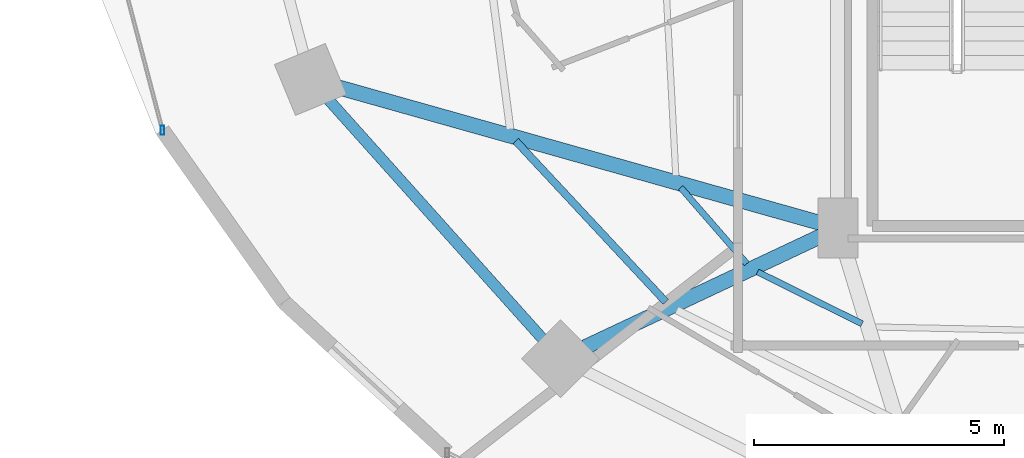
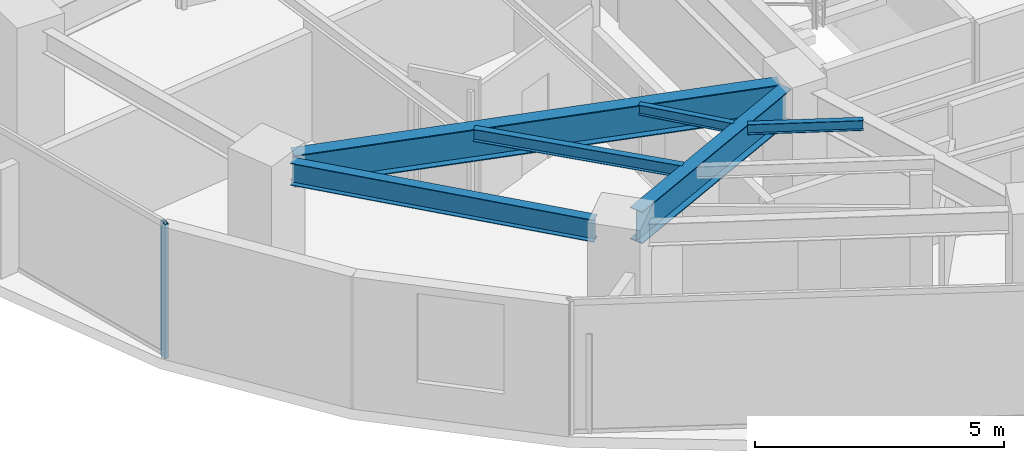
# One storey, part 3 of 30: 6 beams, 1 member, 1 element without a shape of its own.
"""IFC4 building model written with IfcOpenShell, lengths in metres."""

from ifc_helpers import new_model, si_unit, direction, frame, origin, origin_2d, place, context, subcontext, project, spatial, hollow_rectangle, i_section, extrude, material, material_profile, profile_set, type_object, element, aggregate, save


model = new_model("IFC4")

# Units and contexts
model_context = context("Model", 3, precision=1e-05, world=origin(), true_north=direction((0.0, 1.0)))
body_context = subcontext(model_context, "Body", "Model", "MODEL_VIEW")
ifc_project = project(units=[si_unit("LENGTHUNIT", "METRE"), si_unit("AREAUNIT", "SQUARE_METRE"), si_unit("VOLUMEUNIT", "CUBIC_METRE"), si_unit("PLANEANGLEUNIT", "RADIAN"), si_unit("MASSUNIT", "GRAM", prefix="KILO")], contexts=[model_context])

# Site, building, storey
site_placement = place(None, origin())
site = spatial("IfcSite", under=ifc_project, at=site_placement, CompositionType="ELEMENT")
building_placement = place(site_placement, origin())
building = spatial("IfcBuilding", under=site, at=building_placement, Name="Vorneva Point Tower", CompositionType="ELEMENT")
storey_placement = place(building_placement, frame((0.0, 0.0, 92.800048828125)))
storey = spatial("IfcBuildingStorey", under=building, at=storey_placement, Name="L24", CompositionType="ELEMENT", Elevation=92.800048828125)

# Beams
ifc_material_1 = material(Name="Steel S355", Category="steel")
ifc_material_profile_1 = material_profile(ifc_material_1, i_section(OverallWidth=0.300048828125, OverallDepth=0.7880859375, WebThickness=0.014404296875, FlangeThickness=0.02197265625, at=origin_2d()), Name="80Sh1")
ifc_profile_set_1 = profile_set([ifc_material_profile_1], Name="Steel S355")
beam_type_1 = type_object("IfcBeamType", Name="BM-GRD-80Sh1", PredefinedType="USERDEFINED", material=ifc_profile_set_1)
beam_1_placement = place(storey_placement, frame((17.222412109375, 19.272216796875, 2.845947265625), z_axis=(0.962598038366, -0.270933601708, 0.0), x_axis=(0.270933601708, 0.962598038366, 0.0)))
element("IfcBeam", 1, at=beam_1_placement, inside=storey, type_object=beam_type_1, Name="L24 Radial Primary Girder 10", ObjectType="GIRDER", PredefinedType="USERDEFINED", context=body_context, shape_type="SweptSolid", body=[
    extrude(i_section(OverallWidth=0.300048828125, OverallDepth=0.7880859375, WebThickness=0.014404296875, FlangeThickness=0.02197265625, at=origin_2d()), origin(), (0.0, 0.0, 1.0), 10.0771484375),
])
beam_2_placement = place(storey_placement, frame((22.18798828125, 14.06689453125, 2.845947265625), z_axis=(0.904751304927, 0.425940226126, 0.0), x_axis=(-0.425940226126, 0.904751304927, 0.0)))
element("IfcBeam", 2, at=beam_2_placement, inside=storey, type_object=beam_type_1, Name="L24 Radial Primary Girder 11", ObjectType="GIRDER", PredefinedType="USERDEFINED", context=body_context, shape_type="SweptSolid", body=[
    extrude(i_section(OverallWidth=0.300048828125, OverallDepth=0.7880859375, WebThickness=0.014404296875, FlangeThickness=0.02197265625, at=origin_2d()), origin(), (0.0, 0.0, 1.0), 5.2548828125),
])
ifc_material_profile_2 = material_profile(ifc_material_1, i_section(OverallWidth=0.1240234375, OverallDepth=0.248046875, WebThickness=0.0048828125, FlangeThickness=0.008056640625, at=origin_2d()), Name="25B1")
ifc_profile_set_2 = profile_set([ifc_material_profile_2], Name="Steel S355")
beam_type_2 = type_object("IfcBeamType", Name="BM-JST-25B1", PredefinedType="JOIST", material=ifc_profile_set_2)
beam_3_placement = place(storey_placement, frame((24.103271484375, 17.257080078125, 3.115966796875), z_axis=(0.656502765407, -0.7543236169, 0.0), x_axis=(0.7543236169, 0.656502765407, 0.0)))
element("IfcBeam", 3, at=beam_3_placement, inside=storey, type_object=beam_type_2, Name="L24 Secondary Floor Beam 2.10", PredefinedType="JOIST", context=body_context, shape_type="SweptSolid", body=[
    extrude(i_section(OverallWidth=0.1240234375, OverallDepth=0.248046875, WebThickness=0.0048828125, FlangeThickness=0.008056640625, at=origin_2d()), origin(), (0.0, 0.0, 1.0), 2.01416015625),
])
beam_4_placement = place(storey_placement, frame((25.6396484375, 15.572509765625, 3.115966796875), z_axis=(0.89565974577, -0.444739946268, 0.0), x_axis=(0.444739946268, 0.89565974577, 0.0)))
element("IfcBeam", 4, at=beam_4_placement, inside=storey, type_object=beam_type_2, Name="L24 Secondary Floor Beam 2.11", PredefinedType="JOIST", context=body_context, shape_type="SweptSolid", body=[
    extrude(i_section(OverallWidth=0.1240234375, OverallDepth=0.248046875, WebThickness=0.0048828125, FlangeThickness=0.008056640625, at=origin_2d()), origin(), (0.0, 0.0, 1.0), 2.330810546875),
])
ifc_material_profile_3 = material_profile(ifc_material_1, i_section(OverallWidth=0.14892578125, OverallDepth=0.298095703125, WebThickness=0.005615234375, FlangeThickness=0.008056640625, at=origin_2d()), Name="30B1")
ifc_profile_set_3 = profile_set([ifc_material_profile_3], Name="Steel S355")
beam_type_3 = type_object("IfcBeamType", Name="BM-JST-30B1", PredefinedType="JOIST", material=ifc_profile_set_3)
beam_5_placement = place(storey_placement, frame((20.80859375, 18.1884765625, 3.091064453125), z_axis=(0.681868844323, -0.731474455564, 0.0), x_axis=(0.731474455564, 0.681868844323, 0.0)))
element("IfcBeam", 5, at=beam_5_placement, inside=storey, type_object=beam_type_3, Name="L24 Secondary Floor Beam 1.10", PredefinedType="JOIST", context=body_context, shape_type="SweptSolid", body=[
    extrude(i_section(OverallWidth=0.14892578125, OverallDepth=0.298095703125, WebThickness=0.005615234375, FlangeThickness=0.008056640625, at=origin_2d()), origin(), (0.0, 0.0, 1.0), 4.39501953125),
])
ifc_material_profile_4 = material_profile(ifc_material_1, i_section(OverallWidth=0.219970703125, OverallDepth=0.54296875, WebThickness=0.009521484375, FlangeThickness=0.013427734375, at=origin_2d()), Name="55B1")
ifc_profile_set_4 = profile_set([ifc_material_profile_4], Name="Steel S355")
beam_type_4 = type_object("IfcBeamType", Name="BM-SPN-55B1", PredefinedType="SPANDREL", material=ifc_profile_set_4)
beam_6_placement = place(storey_placement, frame((17.0615234375, 19.019287109375, 2.968505859375), z_axis=(0.667073815664, -0.744991627105, 0.0), x_axis=(0.744991627105, 0.667073815664, 0.0)))
element("IfcBeam", 6, at=beam_6_placement, inside=storey, type_object=beam_type_4, Name="L24 Perimeter Spandrel Ring Beam 10", PredefinedType="SPANDREL", context=body_context, shape_type="SweptSolid", body=[
    extrude(i_section(OverallWidth=0.219970703125, OverallDepth=0.54296875, WebThickness=0.009521484375, FlangeThickness=0.013427734375, at=origin_2d()), origin(), (0.0, 0.0, 1.0), 6.420166015625),
])

# Curtain wall, member
ifc_material_2 = material(Name="Pale anodised aluminium", Category="aluminium")
curtain_wall_type = type_object("IfcCurtainWallType", Name="CW-HTL-SYS", PredefinedType="NOTDEFINED", material=ifc_material_2)
curtain_wall_placement = place(storey_placement, origin())
curtain_wall = element("IfcCurtainWall", 7, at=curtain_wall_placement, inside=storey, type_object=curtain_wall_type, Name="L24 Unitised Curtain Wall CW-L24-R03", PredefinedType="NOTDEFINED")
ifc_material_profile_5 = material_profile(ifc_material_2, hollow_rectangle(XDim=0.074951171875, YDim=0.179931640625, WallThickness=0.00390625, at=origin_2d()), Name="AL-MUL 180x75x4")
ifc_profile_set_5 = profile_set([ifc_material_profile_5], Name="Pale anodised aluminium")
member_type = type_object("IfcMemberType", Name="CW-MUL-180", PredefinedType="MULLION", material=ifc_profile_set_5)
member_placement = place(storey_placement, frame((13.748291015625, 18.40380859375, -0.0400390625), z_axis=(0.0, 0.0, 1.0), x_axis=(1.0, 0.0, 0.0)))
member = element("IfcMember", 8, at=member_placement, type_object=member_type, Name="CW-L24-R03 Mullion 03", PredefinedType="MULLION", context=body_context, shape_type="SweptSolid", body=[
    extrude(hollow_rectangle(XDim=0.074951171875, YDim=0.179931640625, WallThickness=0.00390625, at=origin_2d()), origin(), (0.0, 0.0, 1.0), 3.31005859375),
])
aggregate(curtain_wall, [member])

save(model, "model.ifc")
